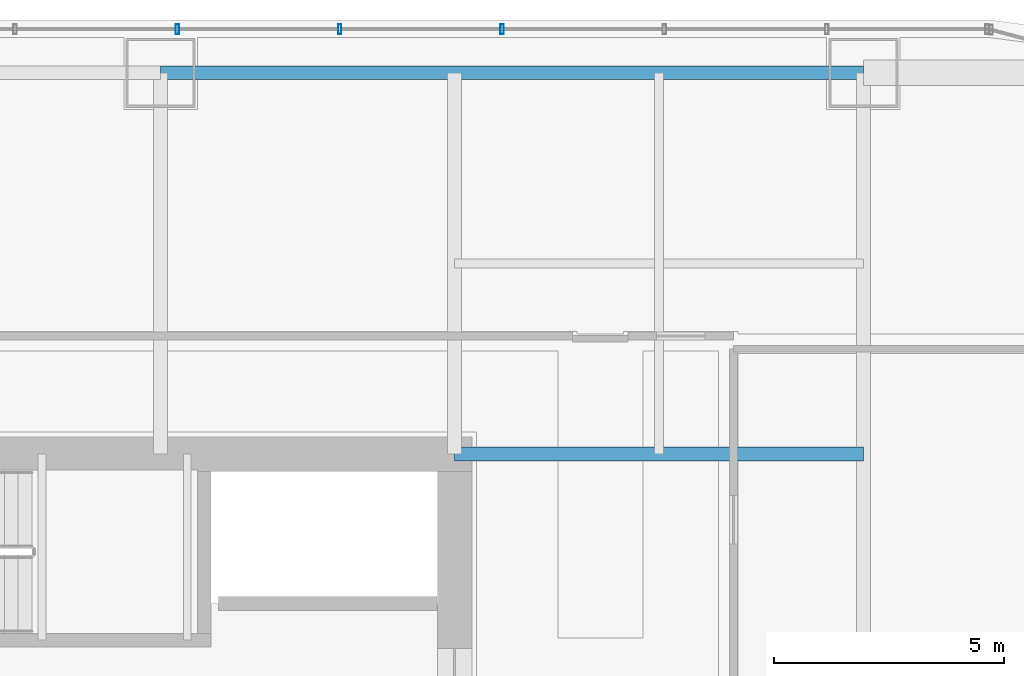
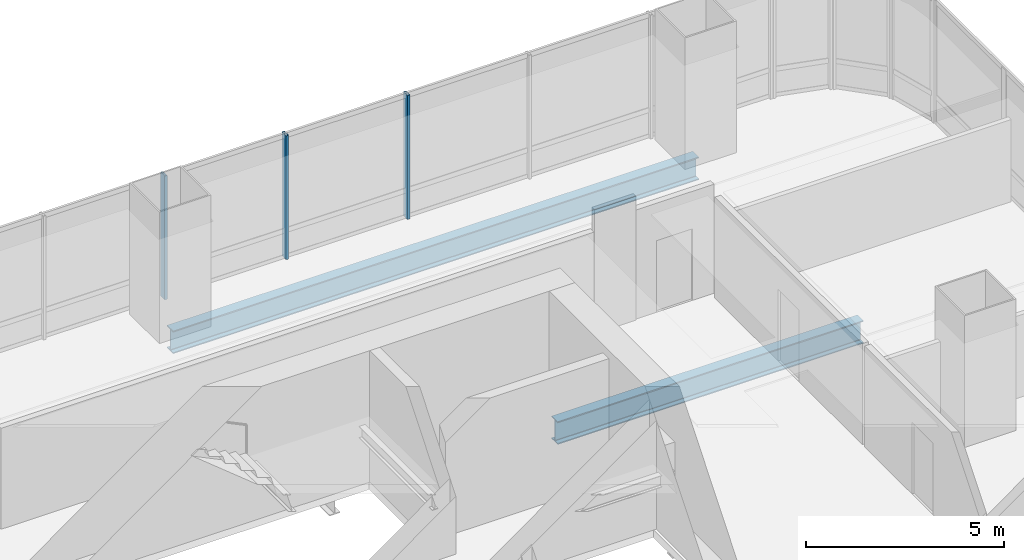
# One storey, part 22 of 34: 3 members, 2 beams, 1 element without a shape of its own.
"""IFC4 building model written with IfcOpenShell, lengths in metres."""

import ifcopenshell
import ifcopenshell.guid

model = None  # the IFC model being written
_history = None  # IfcOwnerHistory: only IFC2X3 demands one
_inside = {}  # id of a spatial element -> (the spatial element, [elements in it])
_under = {}  # id of a project, library or spatial element -> (it, [spatial elements below it])
_declared = {}  # id of a project -> (the project, [libraries it declares])
_typed = {}  # id of a type object -> (the type object, [elements of that type])
_made_of = {}  # id of a material, layer set ... -> (it, [elements and type objects made of it])


def new_model(schema):
    """Start an empty IFC model of exactly this schema.

    Asked for "IFC4X3", IfcOpenShell would pick the latest addendum, in which some entities
    have other attributes; the version numbers below select the first issue.
    IFC2X3 requires an IfcOwnerHistory on every rooted entity: one is made here for all.
    """
    global model, _history
    if schema == "IFC4X3":
        model = ifcopenshell.file(schema_version=(4, 3, 0, 0))
    else:
        model = ifcopenshell.file(schema=schema)
    _inside.clear()
    _under.clear()
    _declared.clear()
    _typed.clear()
    _made_of.clear()
    _history = None
    if model.schema == "IFC2X3":
        org = make("IfcOrganization", Name="unknown")
        user = make(
            "IfcPersonAndOrganization",
            ThePerson=make("IfcPerson", FamilyName="unknown"),
            TheOrganization=org,
        )
        app = make(
            "IfcApplication",
            ApplicationDeveloper=org,
            Version="unknown",
            ApplicationFullName="unknown",
            ApplicationIdentifier="unknown",
        )
        _history = make(
            "IfcOwnerHistory",
            OwningUser=user,
            OwningApplication=app,
            ChangeAction="ADDED",
            CreationDate=0,
        )
    return model


def make(cls, **values):
    """One entity of the class cls with the attributes given. An attribute that is None is left unset."""
    return model.create_entity(
        cls, **{name: value for name, value in values.items() if value is not None}
    )


def rooted(cls, **values):
    """An entity with a GlobalId (a new one), such as an element, a storey or a relation."""
    return make(cls, GlobalId=ifcopenshell.guid.new(), OwnerHistory=_history, **values)


def si_unit(unit_type, name, prefix=None):
    """IfcSIUnit, for example si_unit("LENGTHUNIT", "METRE", prefix="MILLI")."""
    return make("IfcSIUnit", UnitType=unit_type, Prefix=prefix, Name=name)


def assignment(units):
    """IfcUnitAssignment: the units of a project."""
    return None if units is None else make("IfcUnitAssignment", Units=units)


def point(xyz):
    """IfcCartesianPoint."""
    return None if xyz is None else make("IfcCartesianPoint", Coordinates=xyz)


def direction(xyz):
    """IfcDirection."""
    return None if xyz is None else make("IfcDirection", DirectionRatios=xyz)


def frame(location, z_axis=None, x_axis=None):
    """IfcAxis2Placement3D, a coordinate frame: its origin and axes. An axis left out is left unset."""
    return make(
        "IfcAxis2Placement3D",
        Location=point(location),
        Axis=direction(z_axis),
        RefDirection=direction(x_axis),
    )


def frame_2d(location, x_axis=None):
    """IfcAxis2Placement2D, a coordinate frame in the plane: its origin and x axis."""
    return make(
        "IfcAxis2Placement2D", Location=point(location), RefDirection=direction(x_axis)
    )


def origin():
    """The frame at (0, 0, 0) with its axes left unset."""
    return frame((0.0, 0.0, 0.0))


def origin_2d():
    """The frame at (0, 0) in the plane with its x axis left unset."""
    return frame_2d((0.0, 0.0))


def place(relative_to, where):
    """IfcLocalPlacement: puts the frame where relative to a parent placement (None: the world)."""
    return make(
        "IfcLocalPlacement", PlacementRelTo=relative_to, RelativePlacement=where
    )


def context(
    kind, dimensions, precision=None, world=None, true_north=None, identifier=None
):
    """IfcGeometricRepresentationContext, for example the 3D "Model" context."""
    return make(
        "IfcGeometricRepresentationContext",
        ContextIdentifier=identifier,
        ContextType=kind,
        CoordinateSpaceDimension=dimensions,
        Precision=precision,
        WorldCoordinateSystem=world,
        TrueNorth=true_north,
    )


def subcontext(parent, identifier, kind, view, scale=None):
    """IfcGeometricRepresentationSubContext, for example "Body" below "Model"."""
    return make(
        "IfcGeometricRepresentationSubContext",
        ContextIdentifier=identifier,
        ContextType=kind,
        ParentContext=parent,
        TargetScale=scale,
        TargetView=view,
    )


def project(units=None, contexts=None):
    """IfcProject with its units and contexts."""
    return rooted(
        "IfcProject",
        Name="project",
        RepresentationContexts=contexts,
        UnitsInContext=assignment(units),
    )


def spatial(cls, under=None, at=None, **own):
    """A site, building, storey or space (cls), placed at a placement, below another one or the project."""
    s = rooted(cls, ObjectPlacement=at, **own)
    if under is not None:
        _under.setdefault(under.id(), (under, []))[1].append(s)
    return s


def profile(cls, at=None, kind="AREA", **sizes):
    """A parametric profile (cls). Its sizes go by their IFC names, for example OverallWidth=200.0."""
    return make(cls, ProfileType=kind, Position=at, **sizes)


def hollow_rectangle(**sizes):
    """IfcRectangleHollowProfileDef."""
    return profile("IfcRectangleHollowProfileDef", **sizes)


def i_section(**sizes):
    """IfcIShapeProfileDef."""
    return profile("IfcIShapeProfileDef", **sizes)


def extrude(swept, where, along, depth):
    """IfcExtrudedAreaSolid: the profile swept, set in the frame where, extruded along a direction by depth."""
    return make(
        "IfcExtrudedAreaSolid",
        SweptArea=swept,
        Position=where,
        ExtrudedDirection=direction(along),
        Depth=depth,
    )


def shape(context_of_items, identifier, shape_type, items):
    """IfcShapeRepresentation: the items that make up one representation, for example the "Body"."""
    return make(
        "IfcShapeRepresentation",
        ContextOfItems=context_of_items,
        RepresentationIdentifier=identifier,
        RepresentationType=shape_type,
        Items=items,
    )


def material(Name=None, Category=None):
    """IfcMaterial."""
    return make("IfcMaterial", Name=Name, Category=Category)


def material_profile(
    of_material, cross_section, Name=None, Category=None, Priority=None
):
    """IfcMaterialProfile: a cross section and its material."""
    return make(
        "IfcMaterialProfile",
        Name=Name,
        Material=of_material,
        Profile=cross_section,
        Priority=Priority,
        Category=Category,
    )


def profile_set(profiles, Name=None, composite=None):
    """IfcMaterialProfileSet."""
    return make(
        "IfcMaterialProfileSet",
        Name=Name,
        MaterialProfiles=profiles,
        CompositeProfile=composite,
    )


def made_of(thing, what):
    """Note that an element or type object is made of a material, layer set ...; save() writes the relation."""
    if what is not None:
        _made_of.setdefault(what.id(), (what, []))[1].append(thing)
    return thing


def type_object(cls, material=None, **own):
    """A type object (cls), such as IfcWallType, which elements share."""
    return made_of(rooted(cls, **own), material)


def element(
    cls,
    number,
    at=None,
    inside=None,
    cuts=None,
    type_object=None,
    material=None,
    context=None,
    identifier="Body",
    shape_type=None,
    held_by="IfcProductDefinitionShape",
    body=None,
    shapes=None,
    **own,
):
    """One element of the class cls, such as IfcWall. Its Tag is "e" and its number.

    at: its placement. inside: the storey or other place that contains it. cuts: it is an
    opening in that element (IfcRelVoidsElement). A single representation is given by context,
    identifier, shape_type and body (its items); several are given by shapes. held_by: the class
    of the entity that holds the representations. save() writes the other relations.
    """
    e = rooted(cls, Tag="e%d" % number, ObjectPlacement=at, **own)
    if body is not None:
        shapes = [shape(context, identifier, shape_type, body)]
    if shapes is not None:
        e.Representation = make(held_by, Representations=shapes)
    if inside is not None:
        _inside.setdefault(inside.id(), (inside, []))[1].append(e)
    if cuts is not None:
        rooted(
            "IfcRelVoidsElement", RelatingBuildingElement=cuts, RelatedOpeningElement=e
        )
    if type_object is not None:
        _typed.setdefault(type_object.id(), (type_object, []))[1].append(e)
    return made_of(e, material)


def aggregate(whole, parts):
    """IfcRelAggregates: a whole, such as a stair, and the parts it consists of."""
    return rooted("IfcRelAggregates", RelatingObject=whole, RelatedObjects=parts)


def save(model, path):
    """Write the relations noted so far, then the file.

    IfcRelAggregates (storeys below a building ...), IfcRelContainedInSpatialStructure (elements
    in a storey), IfcRelDefinesByType, IfcRelAssociatesMaterial and IfcRelDeclares: one each for
    every whole, place, type object, material and project.
    """
    for whole, parts in _under.values():
        aggregate(whole, parts)
    for where, things in _inside.values():
        rooted(
            "IfcRelContainedInSpatialStructure",
            RelatedElements=things,
            RelatingStructure=where,
        )
    for kind, things in _typed.values():
        rooted("IfcRelDefinesByType", RelatedObjects=things, RelatingType=kind)
    for what, things in _made_of.values():
        rooted("IfcRelAssociatesMaterial", RelatedObjects=things, RelatingMaterial=what)
    for by, libraries in _declared.values():
        rooted("IfcRelDeclares", RelatingContext=by, RelatedDefinitions=libraries)
    model.write(path)


model = new_model("IFC4")

# Units and contexts
model_context = context("Model", 3, precision=1e-05, world=origin(), true_north=direction((0.0, 1.0)))
body_context = subcontext(model_context, "Body", "Model", "MODEL_VIEW")
ifc_project = project(units=[si_unit("LENGTHUNIT", "METRE"), si_unit("AREAUNIT", "SQUARE_METRE"), si_unit("VOLUMEUNIT", "CUBIC_METRE"), si_unit("PLANEANGLEUNIT", "RADIAN"), si_unit("MASSUNIT", "GRAM", prefix="KILO")], contexts=[model_context])

# Site, building, storey
site_placement = place(None, origin())
site = spatial("IfcSite", under=ifc_project, at=site_placement, CompositionType="ELEMENT")
building_placement = place(site_placement, origin())
building = spatial("IfcBuilding", under=site, at=building_placement, Name="Punatoya Terracotta Tower", CompositionType="ELEMENT")
storey_placement = place(building_placement, frame((0.0, 0.0, 84.89990234375)))
storey = spatial("IfcBuildingStorey", under=building, at=storey_placement, Name="L19", CompositionType="ELEMENT", Elevation=84.89990234375)

# Beams
ifc_material_1 = material(Name="Steel S355", Category="steel")
ifc_material_profile_1 = material_profile(ifc_material_1, i_section(OverallWidth=0.300048828125, OverallDepth=0.699951171875, WebThickness=0.01708984375, FlangeThickness=0.031982421875, FilletRadius=0.01806640625, at=origin_2d()))
ifc_profile_set_1 = profile_set([ifc_material_profile_1], Name="Steel S355")
beam_type = type_object("IfcBeamType", Name="BM-PRI-700", PredefinedType="BEAM", material=ifc_profile_set_1)
beam_1_placement = place(storey_placement, frame((3.800048828125, 17.5, -0.58984375), z_axis=(1.0, 0.0, 0.0), x_axis=(0.0, 1.0, 0.0)))
element("IfcBeam", 1, at=beam_1_placement, inside=storey, type_object=beam_type, Name="BM-L19-RG-N3", PredefinedType="BEAM", context=body_context, shape_type="SweptSolid", body=[
    extrude(i_section(OverallWidth=0.300048828125, OverallDepth=0.699951171875, WebThickness=0.01708984375, FlangeThickness=0.031982421875, FilletRadius=0.01806640625, at=origin_2d()), origin(), (0.0, 0.0, 1.0), 15.300048828125),
])
beam_2_placement = place(storey_placement, frame((10.199951171875, 9.199951171875, -0.58984375), z_axis=(1.0, 0.0, 0.0), x_axis=(0.0, 1.0, 0.0)))
element("IfcBeam", 2, at=beam_2_placement, inside=storey, type_object=beam_type, Name="BM-L19-PR-EN", PredefinedType="BEAM", context=body_context, shape_type="SweptSolid", body=[
    extrude(i_section(OverallWidth=0.300048828125, OverallDepth=0.699951171875, WebThickness=0.01708984375, FlangeThickness=0.031982421875, FilletRadius=0.01806640625, at=origin_2d()), origin(), (0.0, 0.0, 1.0), 8.900146484375),
])

# Curtain wall, members
ifc_material_2 = material(Name="Aluminium 6063-T6 + Double Low-E Glass", Category="aluminium")
curtain_wall_type = type_object("IfcCurtainWallType", Name="CW-M1", PredefinedType="NOTDEFINED", material=ifc_material_2)
curtain_wall_placement = place(storey_placement, origin())
curtain_wall = element("IfcCurtainWall", 3, at=curtain_wall_placement, inside=storey, type_object=curtain_wall_type, Name="L19 Curtain Wall CW-L19-N09-1", PredefinedType="NOTDEFINED")
ifc_material_3 = material(Name="Aluminium 6063-T6", Category="aluminium")
ifc_material_profile_2 = material_profile(ifc_material_3, hollow_rectangle(XDim=0.074951171875, YDim=0.2099609375, WallThickness=0.00439453125, at=origin_2d()))
ifc_profile_set_2 = profile_set([ifc_material_profile_2], Name="Aluminium 6063-T6")
member_type = type_object("IfcMemberType", Name="CW-MUL-M1", PredefinedType="MULLION", material=ifc_profile_set_2)
member_1_placement = place(storey_placement, frame((11.235107421875, 18.449951171875, 0.0), z_axis=(0.0, 0.0, 1.0), x_axis=(1.0, 0.0, 0.0)))
member_1 = element("IfcMember", 4, at=member_1_placement, type_object=member_type, Name="CW-L19-N09-1 Mullion 03", PredefinedType="MULLION", context=body_context, shape_type="SweptSolid", body=[
    extrude(hollow_rectangle(XDim=0.074951171875, YDim=0.2099609375, WallThickness=0.00439453125, at=origin_2d()), origin(), (0.0, 0.0, 1.0), 3.81005859375),
])
member_2_placement = place(storey_placement, frame((7.700927734375, 18.449951171875, 0.0), z_axis=(0.0, 0.0, 1.0), x_axis=(1.0, 0.0, 0.0)))
member_2 = element("IfcMember", 5, at=member_2_placement, type_object=member_type, Name="CW-L19-N09-1 Mullion 04", PredefinedType="MULLION", context=body_context, shape_type="SweptSolid", body=[
    extrude(hollow_rectangle(XDim=0.074951171875, YDim=0.2099609375, WallThickness=0.00439453125, at=origin_2d()), origin(), (0.0, 0.0, 1.0), 3.81005859375),
])
member_3_placement = place(storey_placement, frame((4.1669921875, 18.449951171875, 0.0), z_axis=(0.0, 0.0, 1.0), x_axis=(1.0, 0.0, 0.0)))
member_3 = element("IfcMember", 6, at=member_3_placement, type_object=member_type, Name="CW-L19-N09-1 Mullion 05", PredefinedType="MULLION", context=body_context, shape_type="SweptSolid", body=[
    extrude(hollow_rectangle(XDim=0.074951171875, YDim=0.2099609375, WallThickness=0.00439453125, at=origin_2d()), origin(), (0.0, 0.0, 1.0), 3.81005859375),
])
aggregate(curtain_wall, [member_1, member_2, member_3])

save(model, "model.ifc")
